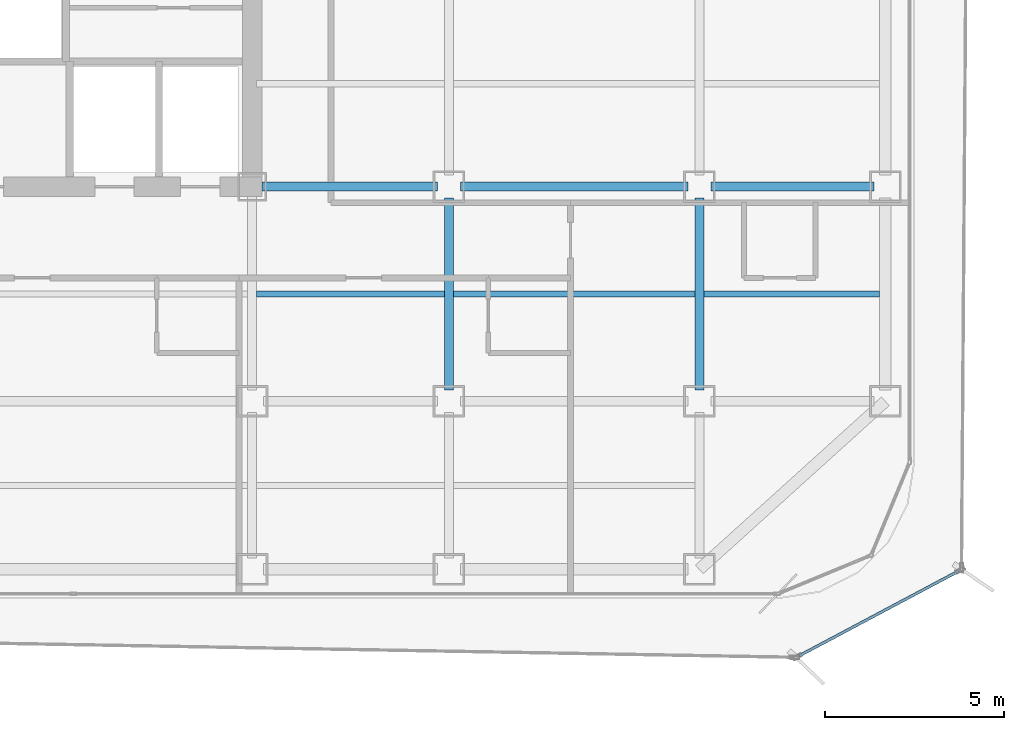
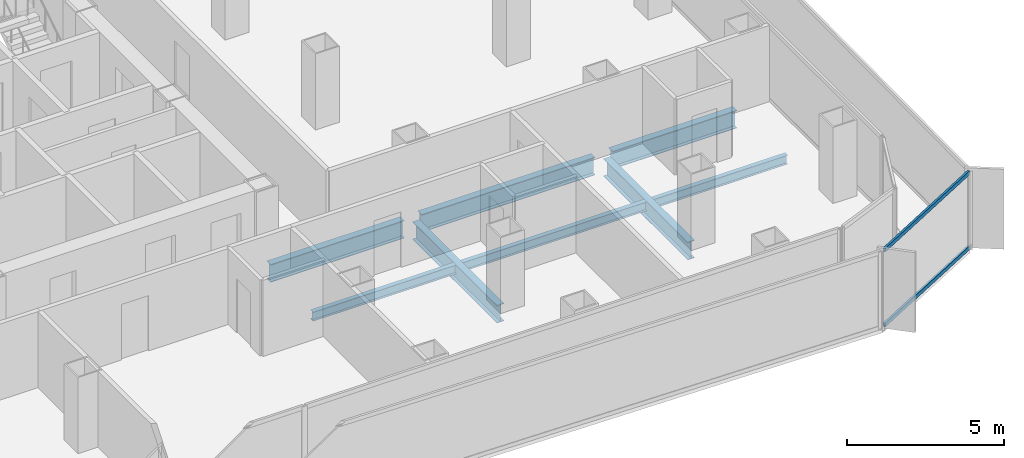
# One storey, part 7 of 21: 8 beams, 2 members, 1 element without a shape of its own.
"""IFC4 building model written with IfcOpenShell, lengths in metres."""

from ifc_helpers import new_model, si_unit, direction, frame, origin, origin_2d, place, context, subcontext, project, spatial, hollow_rectangle, i_section, extrude, source, transform, mapped, material, layer, layer_set, material_profile, profile_set, type_object, element, aggregate, save


model = new_model("IFC4")

# Units and contexts
model_context = context("Model", 3, precision=1e-05, world=origin(), true_north=direction((0.0, 1.0)))
body_context = subcontext(model_context, "Body", "Model", "MODEL_VIEW")
ifc_project = project(units=[si_unit("LENGTHUNIT", "METRE"), si_unit("AREAUNIT", "SQUARE_METRE"), si_unit("VOLUMEUNIT", "CUBIC_METRE"), si_unit("PLANEANGLEUNIT", "RADIAN"), si_unit("MASSUNIT", "GRAM", prefix="KILO")], contexts=[model_context])

# Site, building, storey
site_placement = place(None, origin())
site = spatial("IfcSite", under=ifc_project, at=site_placement, CompositionType="ELEMENT")
building_placement = place(site_placement, origin())
building = spatial("IfcBuilding", under=site, at=building_placement, Name="Kolveth Station Tower", CompositionType="ELEMENT")
storey_placement = place(building_placement, frame((0.0, 0.0, 127.89990234375)))
storey = spatial("IfcBuildingStorey", under=building, at=storey_placement, Name="L35", CompositionType="ELEMENT", Elevation=127.89990234375)

# Beams
ifc_material_1 = material(Name="Steel S355", Category="steel")
ifc_material_profile_1 = material_profile(ifc_material_1, i_section(OverallWidth=0.25390625, OverallDepth=0.68798828125, WebThickness=0.01318359375, FlangeThickness=0.02099609375, at=origin_2d()), Name="W690x152")
ifc_profile_set_1 = profile_set([ifc_material_profile_1], Name="Steel S355")
beam_type_1 = type_object("IfcBeamType", Name="Beam_B4", PredefinedType="BEAM", material=ifc_profile_set_1)
shared_shape_1 = source(origin(), body_context, "Body", "SweptSolid", [
    extrude(i_section(OverallWidth=0.25390625, OverallDepth=0.68798828125, WebThickness=0.01318359375, FlangeThickness=0.02099609375, at=origin_2d()), origin(), (0.0, 0.0, 1.0), 4.559814453125),
])
beam_1_placement = place(storey_placement, frame((41.320068359375, 11.5, -0.593994140625), z_axis=(1.0, 0.0, 0.0), x_axis=(0.0, 1.0, 0.0)))
element("IfcBeam", 1, at=beam_1_placement, inside=storey, type_object=beam_type_1, Name="L35 Primary Girder BM-L35-GY115-7", PredefinedType="BEAM", context=body_context, shape_type="MappedRepresentation", body=[
    mapped(shared_shape_1, transform((0.0, 0.0, 0.0), x_axis=(1.0, 0.0, 0.0), y_axis=(0.0, 1.0, 0.0), z_axis=(0.0, 0.0, 1.0), scale=1.0)),
])
shared_shape_2 = source(origin(), body_context, "Body", "SweptSolid", [
    extrude(i_section(OverallWidth=0.25390625, OverallDepth=0.68798828125, WebThickness=0.01318359375, FlangeThickness=0.02099609375, at=origin_2d()), origin(), (0.0, 0.0, 1.0), 6.35986328125),
])
beam_2_placement = place(storey_placement, frame((34.320068359375, 11.5, -0.593994140625), z_axis=(1.0, 0.0, 0.0), x_axis=(0.0, 1.0, 0.0)))
element("IfcBeam", 2, at=beam_2_placement, inside=storey, type_object=beam_type_1, Name="L35 Primary Girder BM-L35-GY115-6", PredefinedType="BEAM", context=body_context, shape_type="MappedRepresentation", body=[
    mapped(shared_shape_2, transform((0.0, 0.0, 0.0), x_axis=(1.0, 0.0, 0.0), y_axis=(0.0, 1.0, 0.0), z_axis=(0.0, 0.0, 1.0), scale=1.0)),
])
shared_shape_3 = source(origin(), body_context, "Body", "SweptSolid", [
    extrude(i_section(OverallWidth=0.25390625, OverallDepth=0.68798828125, WebThickness=0.01318359375, FlangeThickness=0.02099609375, at=origin_2d()), origin(), (0.0, 0.0, 1.0), 4.89990234375),
])
beam_3_placement = place(storey_placement, frame((28.780029296875, 11.5, -0.593994140625), z_axis=(1.0, 0.0, 0.0), x_axis=(0.0, 1.0, 0.0)))
element("IfcBeam", 3, at=beam_3_placement, inside=storey, type_object=beam_type_1, Name="L35 Primary Girder BM-L35-GY115-5", PredefinedType="BEAM", context=body_context, shape_type="MappedRepresentation", body=[
    mapped(shared_shape_3, transform((0.0, 0.0, 0.0), x_axis=(1.0, 0.0, 0.0), y_axis=(0.0, 1.0, 0.0), z_axis=(0.0, 0.0, 1.0), scale=1.0)),
])
shared_shape_4 = source(origin(), body_context, "Body", "SweptSolid", [
    extrude(i_section(OverallWidth=0.25390625, OverallDepth=0.68798828125, WebThickness=0.01318359375, FlangeThickness=0.02099609375, at=origin_2d()), origin(), (0.0, 0.0, 1.0), 5.35986328125),
])
for number, where, z_axis, x_axis, name in (
    (4, (34.0, 5.820068359375, -0.593994140625), (0.0, 1.0, 0.0), (-1.0, 0.0, 0.0), "L35 Primary Girder BM-L35-GX340-2"),
    (5, (41.0, 5.820068359375, -0.593994140625), (0.0, 1.0, 0.0), (-1.0, 0.0, 0.0), "L35 Primary Girder BM-L35-GX410-2"),
):
    element("IfcBeam", number, at=place(storey_placement, frame(where, z_axis=z_axis, x_axis=x_axis)), inside=storey, type_object=beam_type_1, Name=name, PredefinedType="BEAM", context=body_context, shape_type="MappedRepresentation", body=[
        mapped(shared_shape_4, transform((0.0, 0.0, 0.0), x_axis=(1.0, 0.0, 0.0), y_axis=(0.0, 1.0, 0.0), z_axis=(0.0, 0.0, 1.0), scale=1.0)),
    ])
ifc_material_profile_2 = material_profile(ifc_material_1, i_section(OverallWidth=0.1708984375, OverallDepth=0.35205078125, WebThickness=0.0068359375, FlangeThickness=0.009765625, at=origin_2d()), Name="W360x44")
ifc_profile_set_2 = profile_set([ifc_material_profile_2], Name="Steel S355")
beam_type_2 = type_object("IfcBeamType", Name="Beam_J2", PredefinedType="JOIST", material=ifc_profile_set_2)
shared_shape_5 = source(origin(), body_context, "Body", "SweptSolid", [
    extrude(i_section(OverallWidth=0.1708984375, OverallDepth=0.35205078125, WebThickness=0.0068359375, FlangeThickness=0.009765625, at=origin_2d()), origin(), (0.0, 0.0, 1.0), 4.9150390625),
])
beam_4_placement = place(storey_placement, frame((41.125, 8.5, -0.42578125), z_axis=(1.0, 0.0, 0.0), x_axis=(0.0, 1.0, 0.0)))
element("IfcBeam", 6, at=beam_4_placement, inside=storey, type_object=beam_type_2, Name="L35 Secondary Joist JST-L35-7-2", PredefinedType="JOIST", context=body_context, shape_type="MappedRepresentation", body=[
    mapped(shared_shape_5, transform((0.0, 0.0, 0.0), x_axis=(1.0, 0.0, 0.0), y_axis=(0.0, 1.0, 0.0), z_axis=(0.0, 0.0, 1.0), scale=1.0)),
])
shared_shape_6 = source(origin(), body_context, "Body", "SweptSolid", [
    extrude(i_section(OverallWidth=0.1708984375, OverallDepth=0.35205078125, WebThickness=0.0068359375, FlangeThickness=0.009765625, at=origin_2d()), origin(), (0.0, 0.0, 1.0), 6.75),
])
beam_5_placement = place(storey_placement, frame((34.125, 8.5, -0.42578125), z_axis=(1.0, 0.0, 0.0), x_axis=(0.0, 1.0, 0.0)))
element("IfcBeam", 7, at=beam_5_placement, inside=storey, type_object=beam_type_2, Name="L35 Secondary Joist JST-L35-6-2", PredefinedType="JOIST", context=body_context, shape_type="MappedRepresentation", body=[
    mapped(shared_shape_6, transform((0.0, 0.0, 0.0), x_axis=(1.0, 0.0, 0.0), y_axis=(0.0, 1.0, 0.0), z_axis=(0.0, 0.0, 1.0), scale=1.0)),
])
shared_shape_7 = source(origin(), body_context, "Body", "SweptSolid", [
    extrude(i_section(OverallWidth=0.1708984375, OverallDepth=0.35205078125, WebThickness=0.0068359375, FlangeThickness=0.009765625, at=origin_2d()), origin(), (0.0, 0.0, 1.0), 5.25),
])
beam_6_placement = place(storey_placement, frame((28.625, 8.5, -0.42578125), z_axis=(1.0, 0.0, 0.0), x_axis=(0.0, 1.0, 0.0)))
element("IfcBeam", 8, at=beam_6_placement, inside=storey, type_object=beam_type_2, Name="L35 Secondary Joist JST-L35-5-2", PredefinedType="JOIST", context=body_context, shape_type="MappedRepresentation", body=[
    mapped(shared_shape_7, transform((0.0, 0.0, 0.0), x_axis=(1.0, 0.0, 0.0), y_axis=(0.0, 1.0, 0.0), z_axis=(0.0, 0.0, 1.0), scale=1.0)),
])

# Curtain wall, members
ifc_material_2 = material(Name="Black anodized aluminium 6063-T6 and dark solar glass", Category="aluminium")
ifc_layer = layer(ifc_material_2, 0.159912109375)
ifc_layer_set = layer_set([ifc_layer], Name="Black anodized aluminium 6063-T6 and dark solar glass")
curtain_wall_type = type_object("IfcCurtainWallType", Name="OUTER SKIN CW-OS", PredefinedType="NOTDEFINED", material=ifc_layer_set)
curtain_wall_placement = place(storey_placement, origin())
curtain_wall = element("IfcCurtainWall", 9, at=curtain_wall_placement, inside=storey, type_object=curtain_wall_type, Name="L35 Outer Ventilated Skin Curtain Wall 1", PredefinedType="NOTDEFINED")
ifc_material_3 = material(Name="Black anodized aluminium 6063-T6", Category="aluminium")
ifc_material_profile_3 = material_profile(ifc_material_3, hollow_rectangle(XDim=0.080078125, YDim=0.14990234375, WallThickness=0.0048828125, at=origin_2d()), Name="ALU-80x150x5")
ifc_profile_set_3 = profile_set([ifc_material_profile_3], Name="Black anodized aluminium 6063-T6")
member_type = type_object("IfcMemberType", Name="Transom_TR-OS", PredefinedType="USERDEFINED", material=ifc_profile_set_3)
shared_shape_8 = source(origin(), body_context, "Body", "SweptSolid", [
    extrude(hollow_rectangle(XDim=0.080078125, YDim=0.14990234375, WallThickness=0.0048828125, at=origin_2d()), origin(), (0.0, 0.0, 1.0), 5.0634765625),
])
member_1_placement = place(storey_placement, frame((43.78271484375, -1.6201171875, 0.0400390625), z_axis=(0.883022061351, 0.469331481118, 0.0), x_axis=(-0.469331481118, 0.883022061351, 0.0)))
member_1 = element("IfcMember", 10, at=member_1_placement, type_object=member_type, Name="CW-OS transom 1.1", ObjectType="TRANSOM", PredefinedType="USERDEFINED", context=body_context, shape_type="MappedRepresentation", body=[
    mapped(shared_shape_8, transform((0.0, 0.0, 0.0), x_axis=(1.0, 0.0, 0.0), y_axis=(0.0, 1.0, 0.0), z_axis=(0.0, 0.0, 1.0), scale=1.0)),
])
member_2_placement = place(storey_placement, frame((43.78271484375, -1.6201171875, 2.9501953125), z_axis=(0.883022061351, 0.469331481118, 0.0), x_axis=(-0.469331481118, 0.883022061351, 0.0)))
member_2 = element("IfcMember", 11, at=member_2_placement, type_object=member_type, Name="CW-OS transom 1.2", ObjectType="TRANSOM", PredefinedType="USERDEFINED", context=body_context, shape_type="MappedRepresentation", body=[
    mapped(shared_shape_8, transform((0.0, 0.0, 0.0), x_axis=(1.0, 0.0, 0.0), y_axis=(0.0, 1.0, 0.0), z_axis=(0.0, 0.0, 1.0), scale=1.0)),
])
aggregate(curtain_wall, [member_1, member_2])

save(model, "model.ifc")
